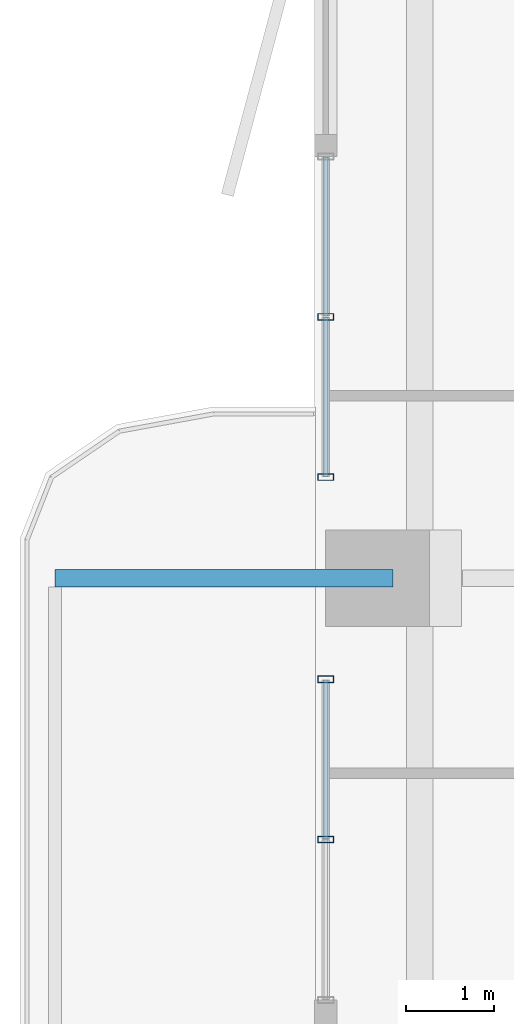
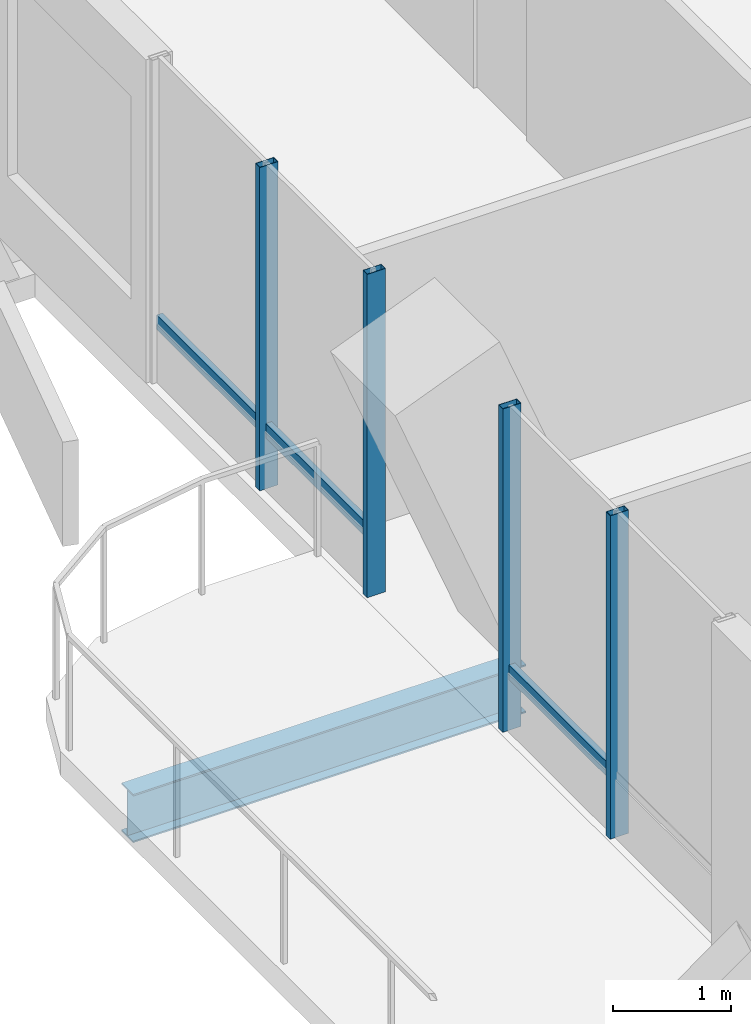
# One storey, part 6 of 24: 7 members, 1 beam, 2 elements without a shape of their own.
"""IFC4 building model written with IfcOpenShell, lengths in metres."""

from ifc_helpers import new_model, si_unit, direction, frame, origin, origin_2d, place, context, subcontext, project, spatial, hollow_rectangle, i_section, extrude, material, layer, layer_set, material_profile, profile_set, type_object, element, aggregate, save


model = new_model("IFC4")

# Units and contexts
model_context = context("Model", 3, precision=1e-05, world=origin(), true_north=direction((0.0, 1.0)))
body_context = subcontext(model_context, "Body", "Model", "MODEL_VIEW")
ifc_project = project(units=[si_unit("LENGTHUNIT", "METRE"), si_unit("AREAUNIT", "SQUARE_METRE"), si_unit("VOLUMEUNIT", "CUBIC_METRE"), si_unit("PLANEANGLEUNIT", "RADIAN"), si_unit("MASSUNIT", "GRAM", prefix="KILO")], contexts=[model_context])

# Site, building, storey
site_placement = place(None, origin())
site = spatial("IfcSite", under=ifc_project, at=site_placement, CompositionType="ELEMENT")
building_placement = place(site_placement, origin())
building = spatial("IfcBuilding", under=site, at=building_placement, Name="Belovzor Exchange Tower", CompositionType="ELEMENT")
storey_placement = place(building_placement, frame((0.0, 0.0, 190.800048828125)))
storey = spatial("IfcBuildingStorey", under=building, at=storey_placement, Name="L47", CompositionType="ELEMENT", Elevation=190.800048828125)

# Beam
ifc_material_1 = material(Name="Steel S355", Category="steel")
ifc_material_profile_1 = material_profile(ifc_material_1, i_section(OverallWidth=0.199951171875, OverallDepth=0.5, WebThickness=0.01025390625, FlangeThickness=0.01611328125, at=origin_2d()))
ifc_profile_set_1 = profile_set([ifc_material_profile_1], Name="Steel S355")
beam_type = type_object("IfcBeamType", Name="Planted Balcony Cantilever Beam IPE 500", PredefinedType="BEAM", material=ifc_profile_set_1)
beam_placement = place(storey_placement, frame((5.39697265625, 28.800048828125, -0.505126953125), z_axis=(-1.0, 0.0, 0.0), x_axis=(0.0, -1.0, 0.0)))
element("IfcBeam", 1, at=beam_placement, inside=storey, type_object=beam_type, Name="BC-500 Planted Balcony Cantilever Beam IPE 500", PredefinedType="BEAM", context=body_context, shape_type="SweptSolid", body=[
    extrude(i_section(OverallWidth=0.199951171875, OverallDepth=0.5, WebThickness=0.01025390625, FlangeThickness=0.01611328125, at=origin_2d()), origin(), (0.0, 0.0, 1.0), 3.849853515625),
])

# Curtain wall, members
ifc_material_2 = material(Name="Anodised Aluminium Framing", Category="aluminium")
ifc_layer = layer(ifc_material_2, 0.179931640625)
ifc_layer_set = layer_set([ifc_layer], Name="Anodised Aluminium Framing")
curtain_wall_type = type_object("IfcCurtainWallType", Name="Recessed Loggia Low-Iron Triple-Glazed Curtain Wall", PredefinedType="NOTDEFINED", material=ifc_layer_set)
curtain_wall_1_placement = place(storey_placement, origin())
curtain_wall_1 = element("IfcCurtainWall", 2, at=curtain_wall_1_placement, inside=storey, type_object=curtain_wall_type, Name="CW3 Recessed Loggia Low-Iron Triple-Glazed Curtain Wall L47", PredefinedType="NOTDEFINED")
ifc_material_3 = material(Name="Steel S355", Category="steel")
ifc_material_profile_2 = material_profile(ifc_material_3, hollow_rectangle(XDim=0.074951171875, YDim=0.179931640625, WallThickness=0.0048828125, at=origin_2d()))
ifc_profile_set_2 = profile_set([ifc_material_profile_2], Name="Steel S355")
member_type_1 = type_object("IfcMemberType", Name="Thermally Broken Curtain Wall Mullion 180x75", PredefinedType="MULLION", material=ifc_profile_set_2)
member_1_placement = place(storey_placement, frame((4.6298828125, 25.824951171875, 0.0), z_axis=(0.0, 0.0, 1.0), x_axis=(0.0, 1.0, 0.0)))
member_1 = element("IfcMember", 3, at=member_1_placement, type_object=member_type_1, Name="CW-M180 Curtain Wall Mullion 2", PredefinedType="MULLION", context=body_context, shape_type="SweptSolid", body=[
    extrude(hollow_rectangle(XDim=0.074951171875, YDim=0.179931640625, WallThickness=0.0048828125, at=origin_2d()), origin(), (0.0, 0.0, 1.0), 3.349853515625),
])
member_2_placement = place(storey_placement, frame((4.6298828125, 27.64990234375, 0.0), z_axis=(0.0, 0.0, 1.0), x_axis=(0.0, 1.0, 0.0)))
member_2 = element("IfcMember", 4, at=member_2_placement, type_object=member_type_1, Name="CW-M180 Curtain Wall Mullion 3", PredefinedType="MULLION", context=body_context, shape_type="SweptSolid", body=[
    extrude(hollow_rectangle(XDim=0.074951171875, YDim=0.179931640625, WallThickness=0.0048828125, at=origin_2d()), origin(), (0.0, 0.0, 1.0), 3.349853515625),
])

curtain_wall_2_placement = place(storey_placement, origin())
curtain_wall_2 = element("IfcCurtainWall", 5, at=curtain_wall_2_placement, inside=storey, type_object=curtain_wall_type, Name="CW3 Recessed Loggia Low-Iron Triple-Glazed Curtain Wall L47", PredefinedType="NOTDEFINED")
member_3_placement = place(storey_placement, frame((4.6298828125, 29.949951171875, 0.0), z_axis=(0.0, 0.0, 1.0), x_axis=(0.0, 1.0, 0.0)))
member_3 = element("IfcMember", 6, at=member_3_placement, type_object=member_type_1, Name="CW-M180 Curtain Wall Mullion 1", PredefinedType="MULLION", context=body_context, shape_type="SweptSolid", body=[
    extrude(hollow_rectangle(XDim=0.074951171875, YDim=0.179931640625, WallThickness=0.0048828125, at=origin_2d()), origin(), (0.0, 0.0, 1.0), 3.349853515625),
])
member_4_placement = place(storey_placement, frame((4.6298828125, 31.77490234375, 0.0), z_axis=(0.0, 0.0, 1.0), x_axis=(0.0, 1.0, 0.0)))
member_4 = element("IfcMember", 7, at=member_4_placement, type_object=member_type_1, Name="CW-M180 Curtain Wall Mullion 2", PredefinedType="MULLION", context=body_context, shape_type="SweptSolid", body=[
    extrude(hollow_rectangle(XDim=0.074951171875, YDim=0.179931640625, WallThickness=0.0048828125, at=origin_2d()), origin(), (0.0, 0.0, 1.0), 3.349853515625),
])

# Member
ifc_material_4 = material(Name="Steel S355", Category="steel")
ifc_material_profile_3 = material_profile(ifc_material_4, hollow_rectangle(XDim=0.06005859375, YDim=0.14990234375, WallThickness=0.00390625, at=origin_2d()))
ifc_profile_set_3 = profile_set([ifc_material_profile_3], Name="Steel S355")
member_type_2 = type_object("IfcMemberType", Name="Thermally Broken Curtain Wall Transom 150x60", PredefinedType="USERDEFINED", material=ifc_profile_set_3)
member_5_placement = place(storey_placement, frame((4.6298828125, 25.8330078125, 0.60302734375), z_axis=(0.0, 1.0, 0.0), x_axis=(-1.0, 0.0, 0.0)))
member_5 = element("IfcMember", 8, at=member_5_placement, type_object=member_type_2, Name="CW-T150 Curtain Wall Transom 2", ObjectType="TRANSOM", PredefinedType="USERDEFINED", context=body_context, shape_type="SweptSolid", body=[
    extrude(hollow_rectangle(XDim=0.06005859375, YDim=0.14990234375, WallThickness=0.00390625, at=origin_2d()), origin(), (0.0, 0.0, 1.0), 1.80908203125),
])

aggregate(curtain_wall_1, [member_1, member_2, member_5])

member_6_placement = place(storey_placement, frame((4.6298828125, 29.9580078125, 0.60302734375), z_axis=(0.0, 1.0, 0.0), x_axis=(-1.0, 0.0, 0.0)))
member_6 = element("IfcMember", 9, at=member_6_placement, type_object=member_type_2, Name="CW-T150 Curtain Wall Transom 1", ObjectType="TRANSOM", PredefinedType="USERDEFINED", context=body_context, shape_type="SweptSolid", body=[
    extrude(hollow_rectangle(XDim=0.06005859375, YDim=0.14990234375, WallThickness=0.00390625, at=origin_2d()), origin(), (0.0, 0.0, 1.0), 1.80908203125),
])

member_7_placement = place(storey_placement, frame((4.6298828125, 31.782958984375, 0.60302734375), z_axis=(0.0, 1.0, 0.0), x_axis=(-1.0, 0.0, 0.0)))
member_7 = element("IfcMember", 10, at=member_7_placement, type_object=member_type_2, Name="CW-T150 Curtain Wall Transom 2", ObjectType="TRANSOM", PredefinedType="USERDEFINED", context=body_context, shape_type="SweptSolid", body=[
    extrude(hollow_rectangle(XDim=0.06005859375, YDim=0.14990234375, WallThickness=0.00390625, at=origin_2d()), origin(), (0.0, 0.0, 1.0), 1.80908203125),
])

aggregate(curtain_wall_2, [member_3, member_4, member_6, member_7])

save(model, "model.ifc")
